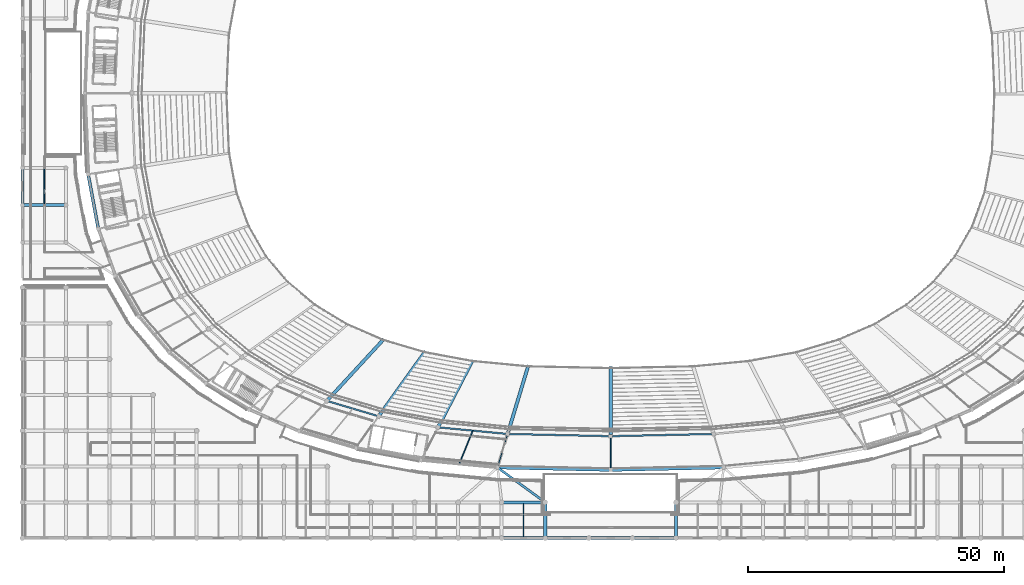
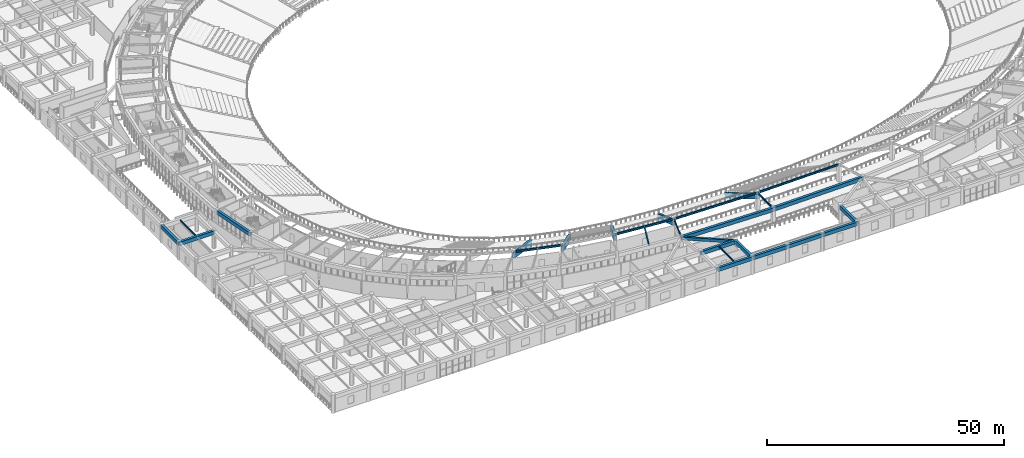
# One storey, part 23 of 137: 27 beams.
"""IFC4 building model written with IfcOpenShell, lengths in metres."""

from ifc_helpers import new_model, si_unit, direction, frame, origin, origin_2d, place, context, subcontext, project, spatial, rectangle, i_section, extrude, material, material_profile, profile_set, type_object, element, save


model = new_model("IFC4")

# Units and contexts
model_context = context("Model", 3, precision=1e-05, world=origin(), true_north=direction((0.0, 1.0)))
body_context = subcontext(model_context, "Body", "Model", "MODEL_VIEW")
ifc_project = project(units=[si_unit("LENGTHUNIT", "METRE"), si_unit("AREAUNIT", "SQUARE_METRE"), si_unit("VOLUMEUNIT", "CUBIC_METRE"), si_unit("PLANEANGLEUNIT", "RADIAN"), si_unit("MASSUNIT", "GRAM", prefix="KILO")], contexts=[model_context])

# Site, building, storey
site_placement = place(None, origin())
site = spatial("IfcSite", under=ifc_project, at=site_placement, CompositionType="ELEMENT")
building_placement = place(site_placement, origin())
building = spatial("IfcBuilding", under=site, at=building_placement, Name="Mphavela Belvedere Stadium", CompositionType="ELEMENT")
storey_placement = place(building_placement, frame((0.0, 0.0, 19.199951171875)))
storey = spatial("IfcBuildingStorey", under=building, at=storey_placement, Name="L04", CompositionType="ELEMENT", Elevation=19.199951171875)

# Beams
ifc_material_1 = material(Name="Concrete C40/50", Category="concrete")
ifc_material_profile_1 = material_profile(ifc_material_1, rectangle(XDim=0.60009765625, YDim=0.949951171875, at=origin_2d()), Name="RC 600x950")
ifc_profile_set_1 = profile_set([ifc_material_profile_1], Name="Concrete C40/50")
beam_type_1 = type_object("IfcBeamType", Name="BM-ENTABLATURE-950", PredefinedType="SPANDREL", material=ifc_profile_set_1)
beam_1_placement = place(storey_placement, frame((12.844482421875, 71.155029296875, 4.074951171875), z_axis=(0.18264260648, -0.983179372393, 0.0), x_axis=(0.983179372393, 0.18264260648, 0.0)))
element("IfcBeam", 1, at=beam_1_placement, inside=storey, type_object=beam_type_1, Name="Circumferential girder L04 R4-26", PredefinedType="SPANDREL", context=body_context, shape_type="SweptSolid", body=[
    extrude(rectangle(XDim=0.60009765625, YDim=0.949951171875, at=origin_2d()), origin(), (0.0, 0.0, 1.0), 10.90087890625),
])
for number, where, z_axis, x_axis, name in (
    (2, (92.885498046875, 13.80615234375, 4.074951171875), (0.999768359718, -0.021522706765, 0.0), (0.021522706765, 0.999768359718, 0.0), "Circumferential girder L04 R4-36"),
    (3, (115.0, 13.330078125, 4.074951171875), (0.999768359718, 0.021522706765, 0.0), (-0.021522706765, 0.999768359718, 0.0), "Circumferential girder L04 R4-37"),
):
    element("IfcBeam", number, at=place(storey_placement, frame(where, z_axis=z_axis, x_axis=x_axis)), inside=storey, type_object=beam_type_1, Name=name, PredefinedType="SPANDREL", context=body_context, shape_type="SweptSolid", body=[
        extrude(rectangle(XDim=0.60009765625, YDim=0.949951171875, at=origin_2d()), origin(), (0.0, 0.0, 1.0), 22.11962890625),
    ])
for number, where, z_axis, x_axis, name in (
    (4, (93.7041015625, 0.0, 4.06494140625), (1.0, 0.0, 0.0), (0.0, 1.0, 0.0), "South Axial Triumphal Peristyle Portico entablature beam X L04 12-1"),
    (5, (93.7041015625, 7.0, 4.06494140625), (1.0, 0.0, 0.0), (0.0, 1.0, 0.0), "South Axial Triumphal Peristyle Portico entablature beam X L04 12-2"),
):
    element("IfcBeam", number, at=place(storey_placement, frame(where, z_axis=z_axis, x_axis=x_axis)), inside=storey, type_object=beam_type_1, Name=name, PredefinedType="SPANDREL", context=body_context, shape_type="SweptSolid", body=[
        extrude(rectangle(XDim=0.60009765625, YDim=0.949951171875, at=origin_2d()), origin(), (0.0, 0.0, 1.0), 8.517822265625),
    ])
beam_2_placement = place(storey_placement, frame((102.221923828125, 0.0, 4.06494140625), z_axis=(1.0, 0.0, 0.0), x_axis=(0.0, 1.0, 0.0)))
element("IfcBeam", 6, at=beam_2_placement, inside=storey, type_object=beam_type_1, Name="South Axial Triumphal Peristyle Portico entablature beam X L04 13-1", PredefinedType="SPANDREL", context=body_context, shape_type="SweptSolid", body=[
    extrude(rectangle(XDim=0.60009765625, YDim=0.949951171875, at=origin_2d()), origin(), (0.0, 0.0, 1.0), 8.51904296875),
])
beam_3_placement = place(storey_placement, frame((102.221923828125, 0.0, 4.06494140625), z_axis=(0.0, 1.0, 0.0), x_axis=(-1.0, 0.0, 0.0)))
element("IfcBeam", 7, at=beam_3_placement, inside=storey, type_object=beam_type_1, Name="South Axial Triumphal Peristyle Portico entablature beam Y L04 13-1", PredefinedType="SPANDREL", context=body_context, shape_type="SweptSolid", body=[
    extrude(rectangle(XDim=0.60009765625, YDim=0.949951171875, at=origin_2d()), origin(), (0.0, 0.0, 1.0), 7.0),
])
beam_4_placement = place(storey_placement, frame((110.740966796875, 0.0, 4.06494140625), z_axis=(1.0, 0.0, 0.0), x_axis=(0.0, 1.0, 0.0)))
element("IfcBeam", 8, at=beam_4_placement, inside=storey, type_object=beam_type_1, Name="South Axial Triumphal Peristyle Portico entablature beam X L04 14-1", PredefinedType="SPANDREL", context=body_context, shape_type="SweptSolid", body=[
    extrude(rectangle(XDim=0.60009765625, YDim=0.949951171875, at=origin_2d()), origin(), (0.0, 0.0, 1.0), 8.51806640625),
])
beam_5_placement = place(storey_placement, frame((119.259033203125, 0.0, 4.06494140625), z_axis=(1.0, 0.0, 0.0), x_axis=(0.0, 1.0, 0.0)))
element("IfcBeam", 9, at=beam_5_placement, inside=storey, type_object=beam_type_1, Name="South Axial Triumphal Peristyle Portico entablature beam X L04 15-1", PredefinedType="SPANDREL", context=body_context, shape_type="SweptSolid", body=[
    extrude(rectangle(XDim=0.60009765625, YDim=0.949951171875, at=origin_2d()), origin(), (0.0, 0.0, 1.0), 8.51904296875),
])
beam_6_placement = place(storey_placement, frame((127.778076171875, 0.0, 4.06494140625), z_axis=(0.0, 1.0, 0.0), x_axis=(-1.0, 0.0, 0.0)))
element("IfcBeam", 10, at=beam_6_placement, inside=storey, type_object=beam_type_1, Name="South Axial Triumphal Peristyle Portico entablature beam Y L04 16-1", PredefinedType="SPANDREL", context=body_context, shape_type="SweptSolid", body=[
    extrude(rectangle(XDim=0.60009765625, YDim=0.949951171875, at=origin_2d()), origin(), (0.0, 0.0, 1.0), 7.0),
])
beam_7_placement = place(storey_placement, frame((0.0, 65.10009765625, 4.06494140625), z_axis=(1.0, 0.0, 0.0), x_axis=(0.0, 1.0, 0.0)))
element("IfcBeam", 11, at=beam_7_placement, inside=storey, type_object=beam_type_1, Name="West Planted Eaves Peristyle Colonnade entablature beam X L04 1-3", PredefinedType="SPANDREL", context=body_context, shape_type="SweptSolid", body=[
    extrude(rectangle(XDim=0.60009765625, YDim=0.949951171875, at=origin_2d()), origin(), (0.0, 0.0, 1.0), 8.5),
])
beam_8_placement = place(storey_placement, frame((0.0, 65.10009765625, 4.06494140625), z_axis=(0.0, 1.0, 0.0), x_axis=(-1.0, 0.0, 0.0)))
element("IfcBeam", 12, at=beam_8_placement, inside=storey, type_object=beam_type_1, Name="West Planted Eaves Peristyle Colonnade entablature beam Y L04 1-3", PredefinedType="SPANDREL", context=body_context, shape_type="SweptSolid", body=[
    extrude(rectangle(XDim=0.60009765625, YDim=0.949951171875, at=origin_2d()), origin(), (0.0, 0.0, 1.0), 7.2998046875),
])
ifc_material_2 = material(Name="Steel S355", Category="steel")
ifc_material_profile_2 = material_profile(ifc_material_2, i_section(OverallWidth=0.169921875, OverallDepth=0.360107421875, WebThickness=0.008056640625, FlangeThickness=0.0126953125, at=origin_2d()), Name="IPE 360")
ifc_profile_set_2 = profile_set([ifc_material_profile_2], Name="Steel S355")
beam_type_2 = type_object("IfcBeamType", Name="BM-JOIST-IPE360", PredefinedType="JOIST", material=ifc_profile_set_2)
beam_9_placement = place(storey_placement, frame((88.05859375, 21.015380859375, 4.3701171875), z_axis=(-0.378004122754, -0.925803911841, 0.0), x_axis=(0.925803911841, -0.378004122754, 0.0)))
element("IfcBeam", 13, at=beam_9_placement, inside=storey, type_object=beam_type_2, Name="Concourse floor joist L04-35", PredefinedType="JOIST", context=body_context, shape_type="SweptSolid", body=[
    extrude(i_section(OverallWidth=0.169921875, OverallDepth=0.360107421875, WebThickness=0.008056640625, FlangeThickness=0.0126953125, at=origin_2d()), origin(), (0.0, 0.0, 1.0), 7.0166015625),
])
beam_10_placement = place(storey_placement, frame((97.962890625, 0.300048828125, 4.360107421875), z_axis=(0.0, 1.0, 0.0), x_axis=(-1.0, 0.0, 0.0)))
element("IfcBeam", 14, at=beam_10_placement, inside=storey, type_object=beam_type_2, Name="South Axial Triumphal Peristyle Portico secondary joist L04 12-1", PredefinedType="JOIST", context=body_context, shape_type="SweptSolid", body=[
    extrude(i_section(OverallWidth=0.169921875, OverallDepth=0.360107421875, WebThickness=0.008056640625, FlangeThickness=0.0126953125, at=origin_2d()), origin(), (0.0, 0.0, 1.0), 6.39990234375),
])
beam_11_placement = place(storey_placement, frame((4.25, 65.39990234375, 4.360107421875), z_axis=(0.0, 1.0, 0.0), x_axis=(-1.0, 0.0, 0.0)))
element("IfcBeam", 15, at=beam_11_placement, inside=storey, type_object=beam_type_2, Name="West Planted Eaves Peristyle Colonnade secondary joist L04 1-3", PredefinedType="JOIST", context=body_context, shape_type="SweptSolid", body=[
    extrude(i_section(OverallWidth=0.169921875, OverallDepth=0.360107421875, WebThickness=0.008056640625, FlangeThickness=0.0126953125, at=origin_2d()), origin(), (0.0, 0.0, 1.0), 6.7001953125),
])
ifc_material_3 = material(Name="Precast concrete C45/55", Category="concrete")
ifc_material_profile_3 = material_profile(ifc_material_3, rectangle(XDim=0.64990234375, YDim=1.199951171875, at=origin_2d()), Name="PC 650x1200")
ifc_profile_set_3 = profile_set([ifc_material_profile_3], Name="Precast concrete C45/55")
beam_type_3 = type_object("IfcBeamType", Name="BM-RAKER-UPPER", PredefinedType="USERDEFINED", material=ifc_profile_set_3)
beam_12_placement = place(storey_placement, frame((70.504150390625, 38.740966796875, -4.349853515625), z_axis=(-0.611484833259, -0.66318967186, 0.43158516869), x_axis=(0.73518469662, -0.6778668467, 0.0)))
element("IfcBeam", 16, at=beam_12_placement, inside=storey, type_object=beam_type_3, Name="Upper tier precast cantilever raker beam RK-U-33", ObjectType="RAKER BEAM", PredefinedType="USERDEFINED", context=body_context, shape_type="SweptSolid", body=[
    extrude(rectangle(XDim=0.64990234375, YDim=1.199951171875, at=origin_2d()), origin(), (0.0, 0.0, 1.0), 17.95703125),
])
beam_13_placement = place(storey_placement, frame((78.6357421875, 36.3271484375, -4.349853515625), z_axis=(-0.52074281352, -0.725648225206, 0.449735005778), x_axis=(0.812448575999, -0.583032856155, 0.0)))
element("IfcBeam", 17, at=beam_13_placement, inside=storey, type_object=beam_type_3, Name="Upper tier precast cantilever raker beam RK-U-34", ObjectType="RAKER BEAM", PredefinedType="USERDEFINED", context=body_context, shape_type="SweptSolid", body=[
    extrude(rectangle(XDim=0.64990234375, YDim=1.199951171875, at=origin_2d()), origin(), (0.0, 0.0, 1.0), 17.232421875),
])
beam_14_placement = place(storey_placement, frame((87.9296875, 34.59619140625, -4.349853515625), z_axis=(-0.405096393963, -0.784223741656, 0.469989398413), x_axis=(0.888465577713, -0.458943261437, 0.0)))
element("IfcBeam", 18, at=beam_14_placement, inside=storey, type_object=beam_type_3, Name="Upper tier precast cantilever raker beam RK-U-35", ObjectType="RAKER BEAM", PredefinedType="USERDEFINED", context=body_context, shape_type="SweptSolid", body=[
    extrude(rectangle(XDim=0.64990234375, YDim=1.199951171875, at=origin_2d()), origin(), (0.0, 0.0, 1.0), 16.48974609375),
])
beam_15_placement = place(storey_placement, frame((98.85205078125, 33.5546875, -4.349853515625), z_axis=(-0.252083378261, -0.83432154007, 0.490266803058), x_axis=(0.957260157301, -0.289228268404, 0.0)))
element("IfcBeam", 19, at=beam_15_placement, inside=storey, type_object=beam_type_3, Name="Upper tier precast cantilever raker beam RK-U-36", ObjectType="RAKER BEAM", PredefinedType="USERDEFINED", context=body_context, shape_type="SweptSolid", body=[
    extrude(rectangle(XDim=0.64990234375, YDim=1.199951171875, at=origin_2d()), origin(), (0.0, 0.0, 1.0), 15.8076171875),
])
beam_16_placement = place(storey_placement, frame((115.0, 33.20703125, -4.349853515625), z_axis=(0.0, -0.863592195442, 0.504190955861), x_axis=(1.0, 0.0, 0.0)))
element("IfcBeam", 20, at=beam_16_placement, inside=storey, type_object=beam_type_3, Name="Upper tier precast cantilever raker beam RK-U-37", ObjectType="RAKER BEAM", PredefinedType="USERDEFINED", context=body_context, shape_type="SweptSolid", body=[
    extrude(rectangle(XDim=0.64990234375, YDim=1.199951171875, at=origin_2d()), origin(), (0.0, 0.0, 1.0), 15.37109375),
])
ifc_material_4 = material(Name="Concrete C40/50", Category="concrete")
ifc_material_profile_4 = material_profile(ifc_material_4, rectangle(XDim=0.449951171875, YDim=0.75, at=origin_2d()), Name="RC 450x750")
ifc_profile_set_4 = profile_set([ifc_material_profile_4], Name="Concrete C40/50")
beam_type_4 = type_object("IfcBeamType", Name="BM-RC450x750", PredefinedType="BEAM", material=ifc_profile_set_4)
beam_17_placement = place(storey_placement, frame((102.221923828125, 7.0, 4.06494140625), z_axis=(-0.808075844415, 0.589078457994, 0.0), x_axis=(-0.589078457994, -0.808075844415, 0.0)))
element("IfcBeam", 21, at=beam_17_placement, inside=storey, type_object=beam_type_4, Name="South Axial Triumphal Peristyle Portico bowl link girder L04-1", PredefinedType="BEAM", context=body_context, shape_type="SweptSolid", body=[
    extrude(rectangle(XDim=0.449951171875, YDim=0.75, at=origin_2d()), origin(), (0.0, 0.0, 1.0), 11.553955078125),
])
ifc_material_5 = material(Name="Steel S355", Category="steel")
ifc_material_profile_5 = material_profile(ifc_material_5, i_section(OverallWidth=0.300048828125, OverallDepth=0.489990234375, WebThickness=0.011962890625, FlangeThickness=0.02294921875, at=origin_2d()), Name="HEA 500")
ifc_profile_set_5 = profile_set([ifc_material_profile_5], Name="Steel S355")
beam_type_5 = type_object("IfcBeamType", Name="BM-STEEL-HEA500", PredefinedType="BEAM", material=ifc_profile_set_5)
beam_18_placement = place(storey_placement, frame((59.523681640625, 26.83203125, 4.304931640625), z_axis=(0.958655230784, -0.284570111731, 0.0), x_axis=(0.284570111731, 0.958655230784, 0.0)))
element("IfcBeam", 22, at=beam_18_placement, inside=storey, type_object=beam_type_5, Name="Circumferential girder L04 R3-33", PredefinedType="BEAM", context=body_context, shape_type="SweptSolid", body=[
    extrude(i_section(OverallWidth=0.300048828125, OverallDepth=0.489990234375, WebThickness=0.011962890625, FlangeThickness=0.02294921875, at=origin_2d()), origin(), (0.0, 0.0, 1.0), 10.57568359375),
])
beam_19_placement = place(storey_placement, frame((81.249755859375, 21.66455078125, 4.304931640625), z_axis=(0.995483834103, -0.094931217412, 0.0), x_axis=(0.094931217412, 0.995483834103, 0.0)))
element("IfcBeam", 23, at=beam_19_placement, inside=storey, type_object=beam_type_5, Name="Circumferential girder L04 R3-35", PredefinedType="BEAM", context=body_context, shape_type="SweptSolid", body=[
    extrude(i_section(OverallWidth=0.300048828125, OverallDepth=0.489990234375, WebThickness=0.011962890625, FlangeThickness=0.02294921875, at=origin_2d()), origin(), (0.0, 0.0, 1.0), 13.67919921875),
])
for number, where, z_axis, x_axis, name in (
    (24, (94.8671875, 20.365966796875, 4.304931640625), (0.999768427465, -0.02151955955, 0.0), (0.02151955955, 0.999768427465, 0.0), "Circumferential girder L04 R3-36"),
    (25, (115.0, 19.9326171875, 4.304931640625), (0.999768427465, 0.02151955955, 0.0), (-0.02151955955, 0.999768427465, 0.0), "Circumferential girder L04 R3-37"),
):
    element("IfcBeam", number, at=place(storey_placement, frame(where, z_axis=z_axis, x_axis=x_axis)), inside=storey, type_object=beam_type_5, Name=name, PredefinedType="BEAM", context=body_context, shape_type="SweptSolid", body=[
        extrude(i_section(OverallWidth=0.300048828125, OverallDepth=0.489990234375, WebThickness=0.011962890625, FlangeThickness=0.02294921875, at=origin_2d()), origin(), (0.0, 0.0, 1.0), 20.137451171875),
    ])
ifc_material_6 = material(Name="Steel S355", Category="steel")
ifc_material_profile_6 = material_profile(ifc_material_6, i_section(OverallWidth=0.199951171875, OverallDepth=0.5, WebThickness=0.01025390625, FlangeThickness=0.01611328125, at=origin_2d()), Name="IPE 500")
ifc_profile_set_6 = profile_set([ifc_material_profile_6], Name="Steel S355")
beam_type_6 = type_object("IfcBeamType", Name="BM-STEEL-IPE500", PredefinedType="BEAM", material=ifc_profile_set_6)
beam_20_placement = place(storey_placement, frame((94.8671875, 20.365966796875, 4.300048828125), z_axis=(-0.28918755919, -0.95727245631, 0.0), x_axis=(0.95727245631, -0.28918755919, 0.0)))
element("IfcBeam", 26, at=beam_20_placement, inside=storey, type_object=beam_type_6, Name="Radial concourse girder L04 R3R4-36", PredefinedType="BEAM", context=body_context, shape_type="SweptSolid", body=[
    extrude(i_section(OverallWidth=0.199951171875, OverallDepth=0.5, WebThickness=0.01025390625, FlangeThickness=0.01611328125, at=origin_2d()), origin(), (0.0, 0.0, 1.0), 6.8525390625),
])
beam_21_placement = place(storey_placement, frame((115.0, 19.9326171875, 4.300048828125), z_axis=(0.0, -1.0, 0.0), x_axis=(1.0, 0.0, 0.0)))
element("IfcBeam", 27, at=beam_21_placement, inside=storey, type_object=beam_type_6, Name="Radial concourse girder L04 R3R4-37", PredefinedType="BEAM", context=body_context, shape_type="SweptSolid", body=[
    extrude(i_section(OverallWidth=0.199951171875, OverallDepth=0.5, WebThickness=0.01025390625, FlangeThickness=0.01611328125, at=origin_2d()), origin(), (0.0, 0.0, 1.0), 6.6025390625),
])

save(model, "model.ifc")
